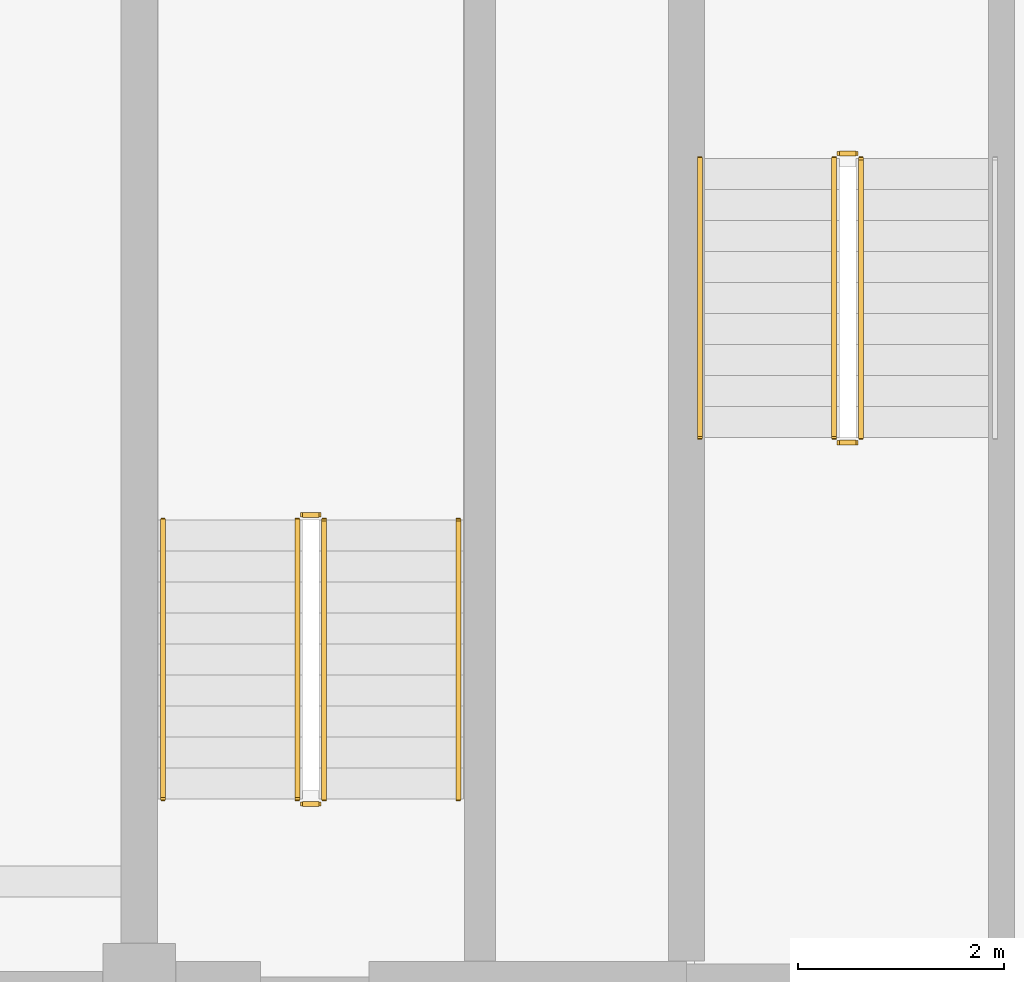
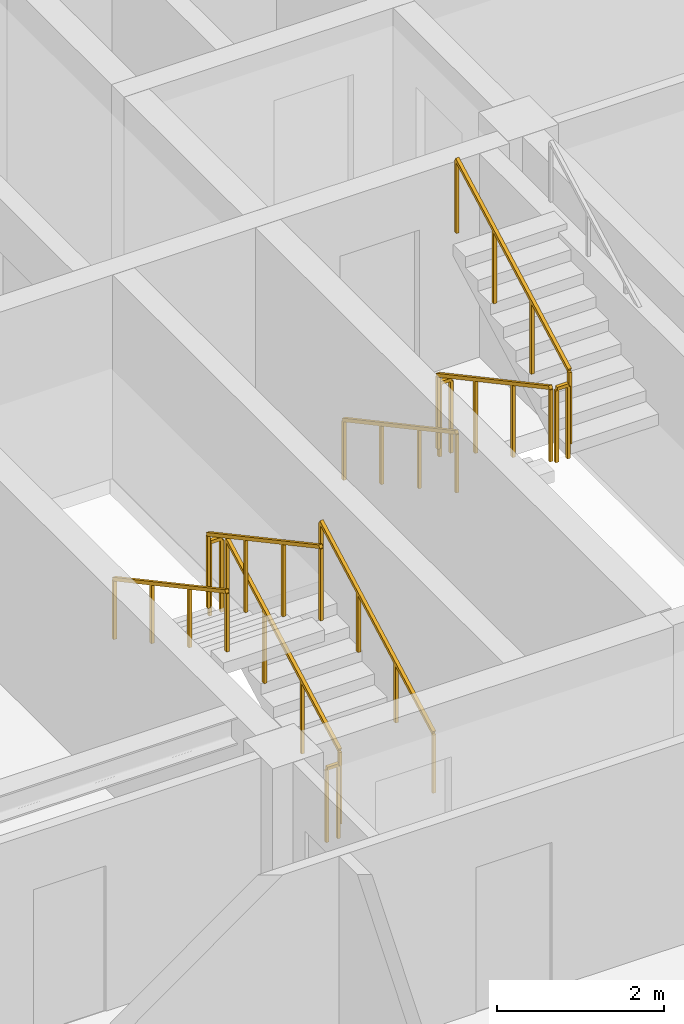
# One storey, part 8 of 11: 11 railings.
"""IFC4 building model written with IfcOpenShell, lengths in metres."""

from ifc_helpers import new_model, si_unit, direction, frame, origin, origin_2d, place, context, subcontext, project, spatial, rectangle, extrude, material, type_object, element, save


model = new_model("IFC4")

# Units and contexts
model_context = context("Model", 3, precision=1e-05, world=origin(), true_north=direction((0.0, 1.0)))
body_context = subcontext(model_context, "Body", "Model", "MODEL_VIEW")
ifc_project = project(units=[si_unit("LENGTHUNIT", "METRE"), si_unit("AREAUNIT", "SQUARE_METRE"), si_unit("VOLUMEUNIT", "CUBIC_METRE"), si_unit("PLANEANGLEUNIT", "RADIAN"), si_unit("MASSUNIT", "GRAM", prefix="KILO")], contexts=[model_context])

# Site, building, storey
site_placement = place(None, origin())
site = spatial("IfcSite", under=ifc_project, at=site_placement, CompositionType="ELEMENT")
building_placement = place(site_placement, origin())
building = spatial("IfcBuilding", under=site, at=building_placement, Name="Zulmaris Gate Convention Tower", CompositionType="ELEMENT")
storey_placement = place(building_placement, frame((0.0, 0.0, 260.889892578125)))
storey = spatial("IfcBuildingStorey", under=building, at=storey_placement, Name="L69", CompositionType="ELEMENT", Elevation=260.889892578125)

# Railings
ifc_material_1 = material(Name="Painted Galvanised Steel", Category="steel")
railing_type_1 = type_object("IfcRailingType", Name="RL-STG-1150", PredefinedType="GUARDRAIL", material=ifc_material_1)
railing_1_placement = place(storey_placement, frame((-13.27001953125, -2.0, 0.16162109375)))
element("IfcRailing", 1, at=railing_1_placement, inside=storey, type_object=railing_type_1, Name="L69 ST-1 stair guard 1", PredefinedType="GUARDRAIL", context=body_context, shape_type="SweptSolid", body=[
    extrude(rectangle(XDim=0.048095703125, YDim=0.048095703125, at=origin_2d()), frame((0.0, 0.0, 1.076171875), z_axis=(0.0, -0.880532452117, 0.47398586558), x_axis=(1.0, 0.0, 0.0)), (0.0, 0.0, 1.0), 3.066162109375),
    extrude(rectangle(XDim=0.0419921875, YDim=0.0419921875, at=origin_2d()), origin(), (0.0, 0.0, 1.0), 1.052001953125),
    extrude(rectangle(XDim=0.0419921875, YDim=0.0419921875, at=origin_2d()), frame((0.0, -0.89990234375, 0.484375)), (0.0, 0.0, 1.0), 1.052001953125),
    extrude(rectangle(XDim=0.0419921875, YDim=0.0419921875, at=origin_2d()), frame((0.0, -1.800048828125, 0.968994140625)), (0.0, 0.0, 1.0), 1.052001953125),
    extrude(rectangle(XDim=0.0419921875, YDim=0.0419921875, at=origin_2d()), frame((0.0, -2.699951171875, 1.453369140625)), (0.0, 0.0, 1.0), 1.052001953125),
])
railing_2_placement = place(storey_placement, frame((-13.219970703125, -4.75, 1.614990234375)))
element("IfcRailing", 2, at=railing_2_placement, inside=storey, type_object=railing_type_1, Name="L69 ST-1 stair guard 2", PredefinedType="GUARDRAIL", context=body_context, shape_type="SweptSolid", body=[
    extrude(rectangle(XDim=0.048095703125, YDim=0.048095703125, at=origin_2d()), frame((0.0, 0.0, 1.076171875), z_axis=(1.0, 0.0, 0.0), x_axis=(0.0, 1.0, 0.0)), (0.0, 0.0, 1.0), 0.159912109375),
    extrude(rectangle(XDim=0.0419921875, YDim=0.0419921875, at=origin_2d()), origin(), (0.0, 0.0, 1.0), 1.052001953125),
    extrude(rectangle(XDim=0.0419921875, YDim=0.0419921875, at=origin_2d()), frame((0.159912109375, 0.0, 0.0)), (0.0, 0.0, 1.0), 1.052001953125),
])
railing_3_placement = place(storey_placement, frame((-13.010009765625, -4.699951171875, 1.776611328125)))
element("IfcRailing", 3, at=railing_3_placement, inside=storey, type_object=railing_type_1, Name="L69 ST-1 stair guard 3", PredefinedType="GUARDRAIL", context=body_context, shape_type="SweptSolid", body=[
    extrude(rectangle(XDim=0.048095703125, YDim=0.048095703125, at=origin_2d()), frame((0.0, 0.0, 1.076171875), z_axis=(0.0, 0.880532452117, 0.47398586558), x_axis=(-1.0, 0.0, 0.0)), (0.0, 0.0, 1.0), 3.066162109375),
    extrude(rectangle(XDim=0.0419921875, YDim=0.0419921875, at=origin_2d()), origin(), (0.0, 0.0, 1.0), 1.052001953125),
    extrude(rectangle(XDim=0.0419921875, YDim=0.0419921875, at=origin_2d()), frame((0.0, 0.89990234375, 0.484375)), (0.0, 0.0, 1.0), 1.052001953125),
    extrude(rectangle(XDim=0.0419921875, YDim=0.0419921875, at=origin_2d()), frame((0.0, 1.800048828125, 0.968994140625)), (0.0, 0.0, 1.0), 1.052001953125),
    extrude(rectangle(XDim=0.0419921875, YDim=0.0419921875, at=origin_2d()), frame((0.0, 2.699951171875, 1.453369140625)), (0.0, 0.0, 1.0), 1.052001953125),
])
railing_4_placement = place(storey_placement, frame((-13.219970703125, -1.949951171875, 0.0)))
element("IfcRailing", 4, at=railing_4_placement, inside=storey, type_object=railing_type_1, Name="L69 ST-1 stair guard 4", PredefinedType="GUARDRAIL", context=body_context, shape_type="SweptSolid", body=[
    extrude(rectangle(XDim=0.048095703125, YDim=0.048095703125, at=origin_2d()), frame((0.0, 0.0, 1.076171875), z_axis=(1.0, 0.0, 0.0), x_axis=(0.0, 1.0, 0.0)), (0.0, 0.0, 1.0), 0.159912109375),
    extrude(rectangle(XDim=0.0419921875, YDim=0.0419921875, at=origin_2d()), origin(), (0.0, 0.0, 1.0), 1.052001953125),
    extrude(rectangle(XDim=0.0419921875, YDim=0.0419921875, at=origin_2d()), frame((0.159912109375, 0.0, 0.0)), (0.0, 0.0, 1.0), 1.052001953125),
])
railing_5_placement = place(storey_placement, frame((-18.2099609375, -8.199951171875, 0.16162109375)))
element("IfcRailing", 5, at=railing_5_placement, inside=storey, type_object=railing_type_1, Name="L69 ST-3 stair guard 1", PredefinedType="GUARDRAIL", context=body_context, shape_type="SweptSolid", body=[
    extrude(rectangle(XDim=0.048095703125, YDim=0.048095703125, at=origin_2d()), frame((0.0, 0.0, 1.076171875), z_axis=(0.0, 0.880532452117, 0.47398586558), x_axis=(-1.0, 0.0, 0.0)), (0.0, 0.0, 1.0), 3.066162109375),
    extrude(rectangle(XDim=0.0419921875, YDim=0.0419921875, at=origin_2d()), origin(), (0.0, 0.0, 1.0), 1.052001953125),
    extrude(rectangle(XDim=0.0419921875, YDim=0.0419921875, at=origin_2d()), frame((0.0, 0.89990234375, 0.484375)), (0.0, 0.0, 1.0), 1.052001953125),
    extrude(rectangle(XDim=0.0419921875, YDim=0.0419921875, at=origin_2d()), frame((0.0, 1.800048828125, 0.968994140625)), (0.0, 0.0, 1.0), 1.052001953125),
    extrude(rectangle(XDim=0.0419921875, YDim=0.0419921875, at=origin_2d()), frame((0.0, 2.699951171875, 1.453369140625)), (0.0, 0.0, 1.0), 1.052001953125),
])
railing_6_placement = place(storey_placement, frame((-18.260009765625, -5.449951171875, 1.614990234375)))
element("IfcRailing", 6, at=railing_6_placement, inside=storey, type_object=railing_type_1, Name="L69 ST-3 stair guard 2", PredefinedType="GUARDRAIL", context=body_context, shape_type="SweptSolid", body=[
    extrude(rectangle(XDim=0.048095703125, YDim=0.048095703125, at=origin_2d()), frame((0.0, 0.0, 1.076171875), z_axis=(-1.0, 0.0, 0.0), x_axis=(0.0, -1.0, 0.0)), (0.0, 0.0, 1.0), 0.159912109375),
    extrude(rectangle(XDim=0.0419921875, YDim=0.0419921875, at=origin_2d()), origin(), (0.0, 0.0, 1.0), 1.052001953125),
    extrude(rectangle(XDim=0.0419921875, YDim=0.0419921875, at=origin_2d()), frame((-0.159912109375, 0.0, 0.0)), (0.0, 0.0, 1.0), 1.052001953125),
])
railing_7_placement = place(storey_placement, frame((-18.469970703125, -5.5, 1.776611328125)))
element("IfcRailing", 7, at=railing_7_placement, inside=storey, type_object=railing_type_1, Name="L69 ST-3 stair guard 3", PredefinedType="GUARDRAIL", context=body_context, shape_type="SweptSolid", body=[
    extrude(rectangle(XDim=0.048095703125, YDim=0.048095703125, at=origin_2d()), frame((0.0, 0.0, 1.076171875), z_axis=(0.0, -0.880532452117, 0.47398586558), x_axis=(1.0, 0.0, 0.0)), (0.0, 0.0, 1.0), 3.066162109375),
    extrude(rectangle(XDim=0.0419921875, YDim=0.0419921875, at=origin_2d()), origin(), (0.0, 0.0, 1.0), 1.052001953125),
    extrude(rectangle(XDim=0.0419921875, YDim=0.0419921875, at=origin_2d()), frame((0.0, -0.89990234375, 0.484375)), (0.0, 0.0, 1.0), 1.052001953125),
    extrude(rectangle(XDim=0.0419921875, YDim=0.0419921875, at=origin_2d()), frame((0.0, -1.800048828125, 0.968994140625)), (0.0, 0.0, 1.0), 1.052001953125),
    extrude(rectangle(XDim=0.0419921875, YDim=0.0419921875, at=origin_2d()), frame((0.0, -2.699951171875, 1.453369140625)), (0.0, 0.0, 1.0), 1.052001953125),
])
railing_8_placement = place(storey_placement, frame((-18.260009765625, -8.25, 0.0)))
element("IfcRailing", 8, at=railing_8_placement, inside=storey, type_object=railing_type_1, Name="L69 ST-3 stair guard 4", PredefinedType="GUARDRAIL", context=body_context, shape_type="SweptSolid", body=[
    extrude(rectangle(XDim=0.048095703125, YDim=0.048095703125, at=origin_2d()), frame((0.0, 0.0, 1.076171875), z_axis=(-1.0, 0.0, 0.0), x_axis=(0.0, -1.0, 0.0)), (0.0, 0.0, 1.0), 0.159912109375),
    extrude(rectangle(XDim=0.0419921875, YDim=0.0419921875, at=origin_2d()), origin(), (0.0, 0.0, 1.0), 1.052001953125),
    extrude(rectangle(XDim=0.0419921875, YDim=0.0419921875, at=origin_2d()), frame((-0.159912109375, 0.0, 0.0)), (0.0, 0.0, 1.0), 1.052001953125),
])
ifc_material_2 = material(Name="Brushed Stainless Steel", Category="steel")
railing_type_2 = type_object("IfcRailingType", Name="RL-STH-900", PredefinedType="HANDRAIL", material=ifc_material_2)
railing_9_placement = place(storey_placement, frame((-14.570068359375, -2.0, 0.16162109375)))
element("IfcRailing", 9, at=railing_9_placement, inside=storey, type_object=railing_type_2, Name="L69 ST-1 stair handrail 1", PredefinedType="HANDRAIL", context=body_context, shape_type="SweptSolid", body=[
    extrude(rectangle(XDim=0.048095703125, YDim=0.048095703125, at=origin_2d()), frame((0.0, 0.0, 0.8759765625), z_axis=(0.0, -0.880532452117, 0.47398586558), x_axis=(1.0, 0.0, 0.0)), (0.0, 0.0, 1.0), 3.066162109375),
    extrude(rectangle(XDim=0.0419921875, YDim=0.0419921875, at=origin_2d()), origin(), (0.0, 0.0, 1.0), 0.851806640625),
    extrude(rectangle(XDim=0.0419921875, YDim=0.0419921875, at=origin_2d()), frame((0.0, -0.89990234375, 0.484375)), (0.0, 0.0, 1.0), 0.851806640625),
    extrude(rectangle(XDim=0.0419921875, YDim=0.0419921875, at=origin_2d()), frame((0.0, -1.800048828125, 0.968994140625)), (0.0, 0.0, 1.0), 0.851806640625),
    extrude(rectangle(XDim=0.0419921875, YDim=0.0419921875, at=origin_2d()), frame((0.0, -2.699951171875, 1.453369140625)), (0.0, 0.0, 1.0), 0.851806640625),
])
railing_10_placement = place(storey_placement, frame((-16.909912109375, -8.199951171875, 0.16162109375)))
element("IfcRailing", 10, at=railing_10_placement, inside=storey, type_object=railing_type_2, Name="L69 ST-3 stair handrail 1", PredefinedType="HANDRAIL", context=body_context, shape_type="SweptSolid", body=[
    extrude(rectangle(XDim=0.048095703125, YDim=0.048095703125, at=origin_2d()), frame((0.0, 0.0, 0.8759765625), z_axis=(0.0, 0.880532452117, 0.47398586558), x_axis=(-1.0, 0.0, 0.0)), (0.0, 0.0, 1.0), 3.066162109375),
    extrude(rectangle(XDim=0.0419921875, YDim=0.0419921875, at=origin_2d()), origin(), (0.0, 0.0, 1.0), 0.851806640625),
    extrude(rectangle(XDim=0.0419921875, YDim=0.0419921875, at=origin_2d()), frame((0.0, 0.89990234375, 0.484375)), (0.0, 0.0, 1.0), 0.851806640625),
    extrude(rectangle(XDim=0.0419921875, YDim=0.0419921875, at=origin_2d()), frame((0.0, 1.800048828125, 0.968994140625)), (0.0, 0.0, 1.0), 0.851806640625),
    extrude(rectangle(XDim=0.0419921875, YDim=0.0419921875, at=origin_2d()), frame((0.0, 2.699951171875, 1.453369140625)), (0.0, 0.0, 1.0), 0.851806640625),
])
railing_11_placement = place(storey_placement, frame((-19.77001953125, -5.5, 1.776611328125)))
element("IfcRailing", 11, at=railing_11_placement, inside=storey, type_object=railing_type_2, Name="L69 ST-3 stair handrail 2", PredefinedType="HANDRAIL", context=body_context, shape_type="SweptSolid", body=[
    extrude(rectangle(XDim=0.048095703125, YDim=0.048095703125, at=origin_2d()), frame((0.0, 0.0, 0.8759765625), z_axis=(0.0, -0.880532452117, 0.47398586558), x_axis=(1.0, 0.0, 0.0)), (0.0, 0.0, 1.0), 3.066162109375),
    extrude(rectangle(XDim=0.0419921875, YDim=0.0419921875, at=origin_2d()), origin(), (0.0, 0.0, 1.0), 0.851806640625),
    extrude(rectangle(XDim=0.0419921875, YDim=0.0419921875, at=origin_2d()), frame((0.0, -0.89990234375, 0.484375)), (0.0, 0.0, 1.0), 0.851806640625),
    extrude(rectangle(XDim=0.0419921875, YDim=0.0419921875, at=origin_2d()), frame((0.0, -1.800048828125, 0.968994140625)), (0.0, 0.0, 1.0), 0.851806640625),
    extrude(rectangle(XDim=0.0419921875, YDim=0.0419921875, at=origin_2d()), frame((0.0, -2.699951171875, 1.453369140625)), (0.0, 0.0, 1.0), 0.851806640625),
])

save(model, "model.ifc")
